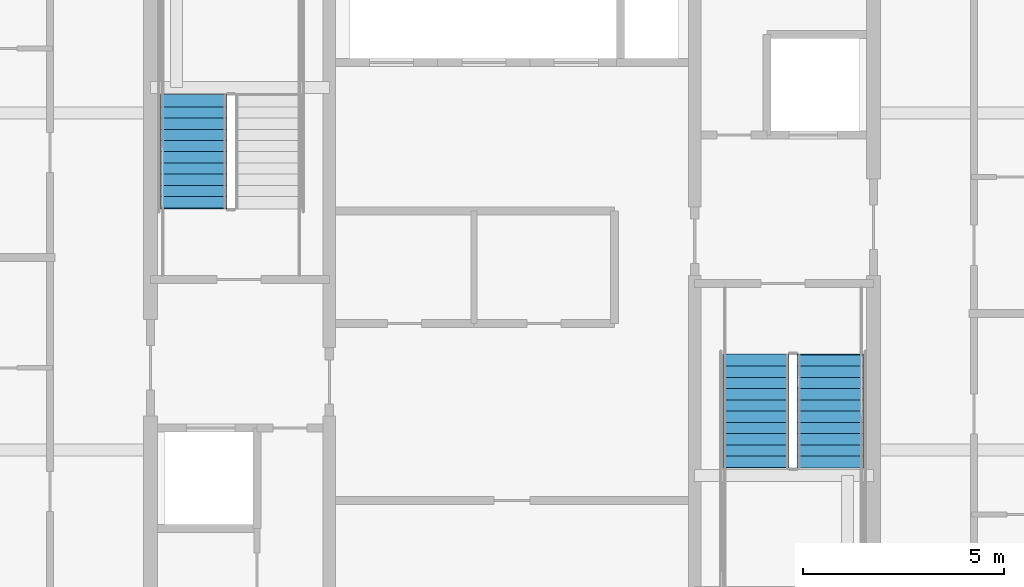
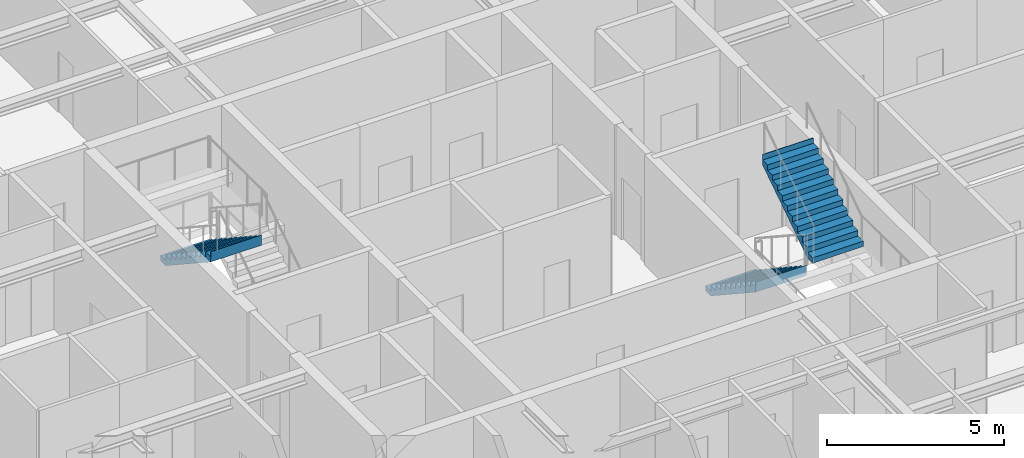
# One storey, part 36 of 42: 3 stair flights, 2 elements without a shape of their own.
"""IFC4 building model written with IfcOpenShell, lengths in metres."""

from ifc_helpers import new_model, si_unit, direction, frame, origin, place, context, subcontext, project, spatial, polygons, material, type_object, element, aggregate, save


model = new_model("IFC4")

# Units and contexts
model_context = context("Model", 3, precision=1e-05, world=origin(), true_north=direction((0.0, 1.0)))
body_context = subcontext(model_context, "Body", "Model", "MODEL_VIEW")
ifc_project = project(units=[si_unit("LENGTHUNIT", "METRE"), si_unit("AREAUNIT", "SQUARE_METRE"), si_unit("VOLUMEUNIT", "CUBIC_METRE"), si_unit("PLANEANGLEUNIT", "RADIAN"), si_unit("MASSUNIT", "GRAM", prefix="KILO")], contexts=[model_context])

# Site, building, storey
site_placement = place(None, origin())
site = spatial("IfcSite", under=ifc_project, at=site_placement, CompositionType="ELEMENT")
building_placement = place(site_placement, origin())
building = spatial("IfcBuilding", under=site, at=building_placement, Name="Serunith Strait Residences", CompositionType="ELEMENT")
storey_placement = place(building_placement, frame((0.0, 0.0, 325.85009765625)))
storey = spatial("IfcBuildingStorey", under=building, at=storey_placement, Name="L81", CompositionType="ELEMENT", Elevation=325.85009765625)

# Stair, stair flight
ifc_material = material(Name="Concrete C50/60", Category="concrete")
stair_type_1 = type_object("IfcStairType", Name="STR-CORE-1", PredefinedType="HALF_TURN_STAIR", material=ifc_material)
stair_1_placement = place(storey_placement, origin())
stair_1 = element("IfcStair", 1, at=stair_1_placement, inside=storey, type_object=stair_type_1, Name="L81 Protected Escape Stair ST-1", PredefinedType="HALF_TURN_STAIR")
stair_flight_type_1 = type_object("IfcStairFlightType", Name="FLT-CORE-1", PredefinedType="STRAIGHT", material=ifc_material)
stair_flight_1_placement = place(storey_placement, frame((24.47509765625, 29.830078125, 2.02490234375), z_axis=(0.0, 0.0, 1.0), x_axis=(0.0, -1.0, 0.0)))
stair_flight_1 = element("IfcStairFlight", 2, at=stair_flight_1_placement, type_object=stair_flight_type_1, Name="ST-1 flight 2", NumberOfRisers=11, NumberOfTreads=10, PredefinedType="STRAIGHT", RiserHeight=0.184090909, TreadLength=0.28, context=body_context, shape_type="Tessellation", body=[
    polygons([(-0.02001953125, -0.824951171875, 0.0), (-0.02001953125, -0.824951171875, 0.18408203125), (0.280029296875, -0.824951171875, 0.18408203125), (0.280029296875, -0.824951171875, 0.3681640625), (0.56005859375, -0.824951171875, 0.3681640625), (0.56005859375, -0.824951171875, 0.55224609375), (0.840087890625, -0.824951171875, 0.55224609375), (0.840087890625, -0.824951171875, 0.736328125), (1.1201171875, -0.824951171875, 0.736328125), (1.1201171875, -0.824951171875, 0.92041015625), (1.39990234375, -0.824951171875, 0.92041015625), (1.39990234375, -0.824951171875, 1.1044921875), (1.679931640625, -0.824951171875, 1.1044921875), (1.679931640625, -0.824951171875, 1.28857421875), (1.9599609375, -0.824951171875, 1.28857421875), (1.9599609375, -0.824951171875, 1.47265625), (2.239990234375, -0.824951171875, 1.47265625), (2.239990234375, -0.824951171875, 1.65673828125), (2.52001953125, -0.824951171875, 1.65673828125), (2.52001953125, -0.824951171875, 1.8408203125), (2.800048828125, -0.824951171875, 1.8408203125), (2.800048828125, -0.824951171875, 2.02490234375), (2.820068359375, -0.824951171875, 2.02490234375), (2.820068359375, -0.824951171875, 1.965087890625), (2.800048828125, -0.824951171875, 1.66162109375), (0.27294921875, -0.824951171875, 0.0), (-0.02001953125, -0.41259765625, 0.0), (-0.02001953125, -0.41259765625, 0.18408203125), (0.280029296875, -0.41259765625, 0.18408203125), (0.280029296875, -0.41259765625, 0.3681640625), (0.56005859375, -0.41259765625, 0.3681640625), (0.56005859375, -0.41259765625, 0.55224609375), (0.840087890625, -0.41259765625, 0.55224609375), (0.840087890625, -0.41259765625, 0.736328125), (1.1201171875, -0.41259765625, 0.736328125), (1.1201171875, -0.41259765625, 0.92041015625), (1.39990234375, -0.41259765625, 0.92041015625), (1.39990234375, -0.41259765625, 1.1044921875), (1.679931640625, -0.41259765625, 1.1044921875), (1.679931640625, -0.41259765625, 1.28857421875), (1.9599609375, -0.41259765625, 1.28857421875), (1.9599609375, -0.41259765625, 1.47265625), (2.239990234375, -0.41259765625, 1.47265625), (2.239990234375, -0.41259765625, 1.65673828125), (2.52001953125, -0.41259765625, 1.65673828125), (2.52001953125, -0.41259765625, 1.8408203125), (2.800048828125, -0.41259765625, 1.8408203125), (2.800048828125, -0.41259765625, 2.02490234375), (2.820068359375, -0.41259765625, 2.02490234375), (2.820068359375, -0.41259765625, 1.965087890625), (2.800048828125, -0.41259765625, 1.66162109375), (0.27294921875, -0.41259765625, 0.0), (-0.02001953125, 0.0, 0.0), (-0.02001953125, 0.0, 0.18408203125), (0.280029296875, 0.0, 0.18408203125), (0.280029296875, 0.0, 0.3681640625), (0.56005859375, 0.0, 0.3681640625), (0.56005859375, 0.0, 0.55224609375), (0.840087890625, 0.0, 0.55224609375), (0.840087890625, 0.0, 0.736328125), (1.1201171875, 0.0, 0.736328125), (1.1201171875, 0.0, 0.92041015625), (1.39990234375, 0.0, 0.92041015625), (1.39990234375, 0.0, 1.1044921875), (1.679931640625, 0.0, 1.1044921875), (1.679931640625, 0.0, 1.28857421875), (1.9599609375, 0.0, 1.28857421875), (1.9599609375, 0.0, 1.47265625), (2.239990234375, 0.0, 1.47265625), (2.239990234375, 0.0, 1.65673828125), (2.52001953125, 0.0, 1.65673828125), (2.52001953125, 0.0, 1.8408203125), (2.800048828125, 0.0, 1.8408203125), (2.800048828125, 0.0, 2.02490234375), (2.820068359375, 0.0, 2.02490234375), (2.820068359375, 0.0, 1.965087890625), (2.800048828125, 0.0, 1.66162109375), (0.27294921875, 0.0, 0.0), (-0.02001953125, 0.41259765625, 0.0), (-0.02001953125, 0.41259765625, 0.18408203125), (0.280029296875, 0.41259765625, 0.18408203125), (0.280029296875, 0.41259765625, 0.3681640625), (0.56005859375, 0.41259765625, 0.3681640625), (0.56005859375, 0.41259765625, 0.55224609375), (0.840087890625, 0.41259765625, 0.55224609375), (0.840087890625, 0.41259765625, 0.736328125), (1.1201171875, 0.41259765625, 0.736328125), (1.1201171875, 0.41259765625, 0.92041015625), (1.39990234375, 0.41259765625, 0.92041015625), (1.39990234375, 0.41259765625, 1.1044921875), (1.679931640625, 0.41259765625, 1.1044921875), (1.679931640625, 0.41259765625, 1.28857421875), (1.9599609375, 0.41259765625, 1.28857421875), (1.9599609375, 0.41259765625, 1.47265625), (2.239990234375, 0.41259765625, 1.47265625), (2.239990234375, 0.41259765625, 1.65673828125), (2.52001953125, 0.41259765625, 1.65673828125), (2.52001953125, 0.41259765625, 1.8408203125), (2.800048828125, 0.41259765625, 1.8408203125), (2.800048828125, 0.41259765625, 2.02490234375), (2.820068359375, 0.41259765625, 2.02490234375), (2.820068359375, 0.41259765625, 1.965087890625), (2.800048828125, 0.41259765625, 1.66162109375), (0.27294921875, 0.41259765625, 0.0), (-0.02001953125, 0.824951171875, 0.0), (-0.02001953125, 0.824951171875, 0.18408203125), (0.280029296875, 0.824951171875, 0.18408203125), (0.280029296875, 0.824951171875, 0.3681640625), (0.56005859375, 0.824951171875, 0.3681640625), (0.56005859375, 0.824951171875, 0.55224609375), (0.840087890625, 0.824951171875, 0.55224609375), (0.840087890625, 0.824951171875, 0.736328125), (1.1201171875, 0.824951171875, 0.736328125), (1.1201171875, 0.824951171875, 0.92041015625), (1.39990234375, 0.824951171875, 0.92041015625), (1.39990234375, 0.824951171875, 1.1044921875), (1.679931640625, 0.824951171875, 1.1044921875), (1.679931640625, 0.824951171875, 1.28857421875), (1.9599609375, 0.824951171875, 1.28857421875), (1.9599609375, 0.824951171875, 1.47265625), (2.239990234375, 0.824951171875, 1.47265625), (2.239990234375, 0.824951171875, 1.65673828125), (2.52001953125, 0.824951171875, 1.65673828125), (2.52001953125, 0.824951171875, 1.8408203125), (2.800048828125, 0.824951171875, 1.8408203125), (2.800048828125, 0.824951171875, 2.02490234375), (2.820068359375, 0.824951171875, 2.02490234375), (2.820068359375, 0.824951171875, 1.965087890625), (2.800048828125, 0.824951171875, 1.66162109375), (0.27294921875, 0.824951171875, 0.0)], [[[1, 2, 28, 27]], [[2, 3, 29, 28]], [[3, 4, 30, 29]], [[4, 5, 31, 30]], [[5, 6, 32, 31]], [[6, 7, 33, 32]], [[7, 8, 34, 33]], [[8, 9, 35, 34]], [[9, 10, 36, 35]], [[10, 11, 37, 36]], [[11, 12, 38, 37]], [[12, 13, 39, 38]], [[13, 14, 40, 39]], [[14, 15, 41, 40]], [[15, 16, 42, 41]], [[16, 17, 43, 42]], [[17, 18, 44, 43]], [[18, 19, 45, 44]], [[19, 20, 46, 45]], [[20, 21, 47, 46]], [[21, 22, 48, 47]], [[22, 23, 49, 48]], [[23, 24, 50, 49]], [[24, 25, 51, 50]], [[25, 26, 52, 51]], [[26, 1, 27, 52]], [[27, 28, 54, 53]], [[28, 29, 55, 54]], [[29, 30, 56, 55]], [[30, 31, 57, 56]], [[31, 32, 58, 57]], [[32, 33, 59, 58]], [[33, 34, 60, 59]], [[34, 35, 61, 60]], [[35, 36, 62, 61]], [[36, 37, 63, 62]], [[37, 38, 64, 63]], [[38, 39, 65, 64]], [[39, 40, 66, 65]], [[40, 41, 67, 66]], [[41, 42, 68, 67]], [[42, 43, 69, 68]], [[43, 44, 70, 69]], [[44, 45, 71, 70]], [[45, 46, 72, 71]], [[46, 47, 73, 72]], [[47, 48, 74, 73]], [[48, 49, 75, 74]], [[49, 50, 76, 75]], [[50, 51, 77, 76]], [[51, 52, 78, 77]], [[52, 27, 53, 78]], [[53, 54, 80, 79]], [[54, 55, 81, 80]], [[55, 56, 82, 81]], [[56, 57, 83, 82]], [[57, 58, 84, 83]], [[58, 59, 85, 84]], [[59, 60, 86, 85]], [[60, 61, 87, 86]], [[61, 62, 88, 87]], [[62, 63, 89, 88]], [[63, 64, 90, 89]], [[64, 65, 91, 90]], [[65, 66, 92, 91]], [[66, 67, 93, 92]], [[67, 68, 94, 93]], [[68, 69, 95, 94]], [[69, 70, 96, 95]], [[70, 71, 97, 96]], [[71, 72, 98, 97]], [[72, 73, 99, 98]], [[73, 74, 100, 99]], [[74, 75, 101, 100]], [[75, 76, 102, 101]], [[76, 77, 103, 102]], [[77, 78, 104, 103]], [[78, 53, 79, 104]], [[79, 80, 106, 105]], [[80, 81, 107, 106]], [[81, 82, 108, 107]], [[82, 83, 109, 108]], [[83, 84, 110, 109]], [[84, 85, 111, 110]], [[85, 86, 112, 111]], [[86, 87, 113, 112]], [[87, 88, 114, 113]], [[88, 89, 115, 114]], [[89, 90, 116, 115]], [[90, 91, 117, 116]], [[91, 92, 118, 117]], [[92, 93, 119, 118]], [[93, 94, 120, 119]], [[94, 95, 121, 120]], [[95, 96, 122, 121]], [[96, 97, 123, 122]], [[97, 98, 124, 123]], [[98, 99, 125, 124]], [[99, 100, 126, 125]], [[100, 101, 127, 126]], [[101, 102, 128, 127]], [[102, 103, 129, 128]], [[103, 104, 130, 129]], [[104, 79, 105, 130]], [[26, 25, 24, 23, 22, 21, 20, 19, 18, 17, 16, 15, 14, 13, 12, 11, 10, 9, 8, 7, 6, 5, 4, 3, 2, 1]], [[105, 106, 107, 108, 109, 110, 111, 112, 113, 114, 115, 116, 117, 118, 119, 120, 121, 122, 123, 124, 125, 126, 127, 128, 129, 130]]], closed=True),
])
aggregate(stair_1, [stair_flight_1])

# Stair, stair flights
stair_type_2 = type_object("IfcStairType", Name="STR-CORE-2", PredefinedType="HALF_TURN_STAIR", material=ifc_material)
stair_2_placement = place(storey_placement, origin())
stair_2 = element("IfcStair", 3, at=stair_2_placement, inside=storey, type_object=stair_type_2, Name="L81 Protected Escape Stair ST-2", PredefinedType="HALF_TURN_STAIR")
stair_flight_type_2 = type_object("IfcStairFlightType", Name="FLT-CORE-2", PredefinedType="STRAIGHT", material=ifc_material)
stair_flight_2_placement = place(storey_placement, frame((38.47509765625, 23.3701171875, 0.0), z_axis=(0.0, 0.0, 1.0), x_axis=(0.0, -1.0, 0.0)))
stair_flight_2 = element("IfcStairFlight", 4, at=stair_flight_2_placement, type_object=stair_flight_type_2, Name="ST-2 flight 1", NumberOfRisers=11, NumberOfTreads=10, PredefinedType="STRAIGHT", RiserHeight=0.184090909, TreadLength=0.28, context=body_context, shape_type="Tessellation", body=[
    polygons([(-0.02001953125, -0.824951171875, 0.0), (-0.02001953125, -0.824951171875, 0.18408203125), (0.280029296875, -0.824951171875, 0.18408203125), (0.280029296875, -0.824951171875, 0.3681640625), (0.56005859375, -0.824951171875, 0.3681640625), (0.56005859375, -0.824951171875, 0.55224609375), (0.840087890625, -0.824951171875, 0.55224609375), (0.840087890625, -0.824951171875, 0.736328125), (1.1201171875, -0.824951171875, 0.736328125), (1.1201171875, -0.824951171875, 0.92041015625), (1.39990234375, -0.824951171875, 0.92041015625), (1.39990234375, -0.824951171875, 1.1044921875), (1.679931640625, -0.824951171875, 1.1044921875), (1.679931640625, -0.824951171875, 1.28857421875), (1.9599609375, -0.824951171875, 1.28857421875), (1.9599609375, -0.824951171875, 1.47265625), (2.239990234375, -0.824951171875, 1.47265625), (2.239990234375, -0.824951171875, 1.65673828125), (2.52001953125, -0.824951171875, 1.65673828125), (2.52001953125, -0.824951171875, 1.8408203125), (2.800048828125, -0.824951171875, 1.8408203125), (2.800048828125, -0.824951171875, 2.02490234375), (2.820068359375, -0.824951171875, 2.02490234375), (2.820068359375, -0.824951171875, 1.965087890625), (2.800048828125, -0.824951171875, 1.66162109375), (0.27294921875, -0.824951171875, 0.0), (-0.02001953125, -0.41259765625, 0.0), (-0.02001953125, -0.41259765625, 0.18408203125), (0.280029296875, -0.41259765625, 0.18408203125), (0.280029296875, -0.41259765625, 0.3681640625), (0.56005859375, -0.41259765625, 0.3681640625), (0.56005859375, -0.41259765625, 0.55224609375), (0.840087890625, -0.41259765625, 0.55224609375), (0.840087890625, -0.41259765625, 0.736328125), (1.1201171875, -0.41259765625, 0.736328125), (1.1201171875, -0.41259765625, 0.92041015625), (1.39990234375, -0.41259765625, 0.92041015625), (1.39990234375, -0.41259765625, 1.1044921875), (1.679931640625, -0.41259765625, 1.1044921875), (1.679931640625, -0.41259765625, 1.28857421875), (1.9599609375, -0.41259765625, 1.28857421875), (1.9599609375, -0.41259765625, 1.47265625), (2.239990234375, -0.41259765625, 1.47265625), (2.239990234375, -0.41259765625, 1.65673828125), (2.52001953125, -0.41259765625, 1.65673828125), (2.52001953125, -0.41259765625, 1.8408203125), (2.800048828125, -0.41259765625, 1.8408203125), (2.800048828125, -0.41259765625, 2.02490234375), (2.820068359375, -0.41259765625, 2.02490234375), (2.820068359375, -0.41259765625, 1.965087890625), (2.800048828125, -0.41259765625, 1.66162109375), (0.27294921875, -0.41259765625, 0.0), (-0.02001953125, 0.0, 0.0), (-0.02001953125, 0.0, 0.18408203125), (0.280029296875, 0.0, 0.18408203125), (0.280029296875, 0.0, 0.3681640625), (0.56005859375, 0.0, 0.3681640625), (0.56005859375, 0.0, 0.55224609375), (0.840087890625, 0.0, 0.55224609375), (0.840087890625, 0.0, 0.736328125), (1.1201171875, 0.0, 0.736328125), (1.1201171875, 0.0, 0.92041015625), (1.39990234375, 0.0, 0.92041015625), (1.39990234375, 0.0, 1.1044921875), (1.679931640625, 0.0, 1.1044921875), (1.679931640625, 0.0, 1.28857421875), (1.9599609375, 0.0, 1.28857421875), (1.9599609375, 0.0, 1.47265625), (2.239990234375, 0.0, 1.47265625), (2.239990234375, 0.0, 1.65673828125), (2.52001953125, 0.0, 1.65673828125), (2.52001953125, 0.0, 1.8408203125), (2.800048828125, 0.0, 1.8408203125), (2.800048828125, 0.0, 2.02490234375), (2.820068359375, 0.0, 2.02490234375), (2.820068359375, 0.0, 1.965087890625), (2.800048828125, 0.0, 1.66162109375), (0.27294921875, 0.0, 0.0), (-0.02001953125, 0.41259765625, 0.0), (-0.02001953125, 0.41259765625, 0.18408203125), (0.280029296875, 0.41259765625, 0.18408203125), (0.280029296875, 0.41259765625, 0.3681640625), (0.56005859375, 0.41259765625, 0.3681640625), (0.56005859375, 0.41259765625, 0.55224609375), (0.840087890625, 0.41259765625, 0.55224609375), (0.840087890625, 0.41259765625, 0.736328125), (1.1201171875, 0.41259765625, 0.736328125), (1.1201171875, 0.41259765625, 0.92041015625), (1.39990234375, 0.41259765625, 0.92041015625), (1.39990234375, 0.41259765625, 1.1044921875), (1.679931640625, 0.41259765625, 1.1044921875), (1.679931640625, 0.41259765625, 1.28857421875), (1.9599609375, 0.41259765625, 1.28857421875), (1.9599609375, 0.41259765625, 1.47265625), (2.239990234375, 0.41259765625, 1.47265625), (2.239990234375, 0.41259765625, 1.65673828125), (2.52001953125, 0.41259765625, 1.65673828125), (2.52001953125, 0.41259765625, 1.8408203125), (2.800048828125, 0.41259765625, 1.8408203125), (2.800048828125, 0.41259765625, 2.02490234375), (2.820068359375, 0.41259765625, 2.02490234375), (2.820068359375, 0.41259765625, 1.965087890625), (2.800048828125, 0.41259765625, 1.66162109375), (0.27294921875, 0.41259765625, 0.0), (-0.02001953125, 0.824951171875, 0.0), (-0.02001953125, 0.824951171875, 0.18408203125), (0.280029296875, 0.824951171875, 0.18408203125), (0.280029296875, 0.824951171875, 0.3681640625), (0.56005859375, 0.824951171875, 0.3681640625), (0.56005859375, 0.824951171875, 0.55224609375), (0.840087890625, 0.824951171875, 0.55224609375), (0.840087890625, 0.824951171875, 0.736328125), (1.1201171875, 0.824951171875, 0.736328125), (1.1201171875, 0.824951171875, 0.92041015625), (1.39990234375, 0.824951171875, 0.92041015625), (1.39990234375, 0.824951171875, 1.1044921875), (1.679931640625, 0.824951171875, 1.1044921875), (1.679931640625, 0.824951171875, 1.28857421875), (1.9599609375, 0.824951171875, 1.28857421875), (1.9599609375, 0.824951171875, 1.47265625), (2.239990234375, 0.824951171875, 1.47265625), (2.239990234375, 0.824951171875, 1.65673828125), (2.52001953125, 0.824951171875, 1.65673828125), (2.52001953125, 0.824951171875, 1.8408203125), (2.800048828125, 0.824951171875, 1.8408203125), (2.800048828125, 0.824951171875, 2.02490234375), (2.820068359375, 0.824951171875, 2.02490234375), (2.820068359375, 0.824951171875, 1.965087890625), (2.800048828125, 0.824951171875, 1.66162109375), (0.27294921875, 0.824951171875, 0.0)], [[[1, 2, 28, 27]], [[2, 3, 29, 28]], [[3, 4, 30, 29]], [[4, 5, 31, 30]], [[5, 6, 32, 31]], [[6, 7, 33, 32]], [[7, 8, 34, 33]], [[8, 9, 35, 34]], [[9, 10, 36, 35]], [[10, 11, 37, 36]], [[11, 12, 38, 37]], [[12, 13, 39, 38]], [[13, 14, 40, 39]], [[14, 15, 41, 40]], [[15, 16, 42, 41]], [[16, 17, 43, 42]], [[17, 18, 44, 43]], [[18, 19, 45, 44]], [[19, 20, 46, 45]], [[20, 21, 47, 46]], [[21, 22, 48, 47]], [[22, 23, 49, 48]], [[23, 24, 50, 49]], [[24, 25, 51, 50]], [[25, 26, 52, 51]], [[26, 1, 27, 52]], [[27, 28, 54, 53]], [[28, 29, 55, 54]], [[29, 30, 56, 55]], [[30, 31, 57, 56]], [[31, 32, 58, 57]], [[32, 33, 59, 58]], [[33, 34, 60, 59]], [[34, 35, 61, 60]], [[35, 36, 62, 61]], [[36, 37, 63, 62]], [[37, 38, 64, 63]], [[38, 39, 65, 64]], [[39, 40, 66, 65]], [[40, 41, 67, 66]], [[41, 42, 68, 67]], [[42, 43, 69, 68]], [[43, 44, 70, 69]], [[44, 45, 71, 70]], [[45, 46, 72, 71]], [[46, 47, 73, 72]], [[47, 48, 74, 73]], [[48, 49, 75, 74]], [[49, 50, 76, 75]], [[50, 51, 77, 76]], [[51, 52, 78, 77]], [[52, 27, 53, 78]], [[53, 54, 80, 79]], [[54, 55, 81, 80]], [[55, 56, 82, 81]], [[56, 57, 83, 82]], [[57, 58, 84, 83]], [[58, 59, 85, 84]], [[59, 60, 86, 85]], [[60, 61, 87, 86]], [[61, 62, 88, 87]], [[62, 63, 89, 88]], [[63, 64, 90, 89]], [[64, 65, 91, 90]], [[65, 66, 92, 91]], [[66, 67, 93, 92]], [[67, 68, 94, 93]], [[68, 69, 95, 94]], [[69, 70, 96, 95]], [[70, 71, 97, 96]], [[71, 72, 98, 97]], [[72, 73, 99, 98]], [[73, 74, 100, 99]], [[74, 75, 101, 100]], [[75, 76, 102, 101]], [[76, 77, 103, 102]], [[77, 78, 104, 103]], [[78, 53, 79, 104]], [[79, 80, 106, 105]], [[80, 81, 107, 106]], [[81, 82, 108, 107]], [[82, 83, 109, 108]], [[83, 84, 110, 109]], [[84, 85, 111, 110]], [[85, 86, 112, 111]], [[86, 87, 113, 112]], [[87, 88, 114, 113]], [[88, 89, 115, 114]], [[89, 90, 116, 115]], [[90, 91, 117, 116]], [[91, 92, 118, 117]], [[92, 93, 119, 118]], [[93, 94, 120, 119]], [[94, 95, 121, 120]], [[95, 96, 122, 121]], [[96, 97, 123, 122]], [[97, 98, 124, 123]], [[98, 99, 125, 124]], [[99, 100, 126, 125]], [[100, 101, 127, 126]], [[101, 102, 128, 127]], [[102, 103, 129, 128]], [[103, 104, 130, 129]], [[104, 79, 105, 130]], [[26, 25, 24, 23, 22, 21, 20, 19, 18, 17, 16, 15, 14, 13, 12, 11, 10, 9, 8, 7, 6, 5, 4, 3, 2, 1]], [[105, 106, 107, 108, 109, 110, 111, 112, 113, 114, 115, 116, 117, 118, 119, 120, 121, 122, 123, 124, 125, 126, 127, 128, 129, 130]]], closed=True),
])
stair_flight_3_placement = place(storey_placement, frame((40.324951171875, 20.570068359375, 2.02490234375), z_axis=(0.0, 0.0, 1.0), x_axis=(0.0, 1.0, 0.0)))
stair_flight_3 = element("IfcStairFlight", 5, at=stair_flight_3_placement, type_object=stair_flight_type_2, Name="ST-2 flight 2", NumberOfRisers=11, NumberOfTreads=10, PredefinedType="STRAIGHT", RiserHeight=0.184090909, TreadLength=0.28, context=body_context, shape_type="Tessellation", body=[
    polygons([(-0.02001953125, -0.824951171875, 0.0), (-0.02001953125, -0.824951171875, 0.18408203125), (0.280029296875, -0.824951171875, 0.18408203125), (0.280029296875, -0.824951171875, 0.3681640625), (0.56005859375, -0.824951171875, 0.3681640625), (0.56005859375, -0.824951171875, 0.55224609375), (0.840087890625, -0.824951171875, 0.55224609375), (0.840087890625, -0.824951171875, 0.736328125), (1.1201171875, -0.824951171875, 0.736328125), (1.1201171875, -0.824951171875, 0.92041015625), (1.39990234375, -0.824951171875, 0.92041015625), (1.39990234375, -0.824951171875, 1.1044921875), (1.679931640625, -0.824951171875, 1.1044921875), (1.679931640625, -0.824951171875, 1.28857421875), (1.9599609375, -0.824951171875, 1.28857421875), (1.9599609375, -0.824951171875, 1.47265625), (2.239990234375, -0.824951171875, 1.47265625), (2.239990234375, -0.824951171875, 1.65673828125), (2.52001953125, -0.824951171875, 1.65673828125), (2.52001953125, -0.824951171875, 1.8408203125), (2.800048828125, -0.824951171875, 1.8408203125), (2.800048828125, -0.824951171875, 2.02490234375), (2.820068359375, -0.824951171875, 2.02490234375), (2.820068359375, -0.824951171875, 1.965087890625), (2.800048828125, -0.824951171875, 1.66162109375), (0.27294921875, -0.824951171875, 0.0), (-0.02001953125, -0.41259765625, 0.0), (-0.02001953125, -0.41259765625, 0.18408203125), (0.280029296875, -0.41259765625, 0.18408203125), (0.280029296875, -0.41259765625, 0.3681640625), (0.56005859375, -0.41259765625, 0.3681640625), (0.56005859375, -0.41259765625, 0.55224609375), (0.840087890625, -0.41259765625, 0.55224609375), (0.840087890625, -0.41259765625, 0.736328125), (1.1201171875, -0.41259765625, 0.736328125), (1.1201171875, -0.41259765625, 0.92041015625), (1.39990234375, -0.41259765625, 0.92041015625), (1.39990234375, -0.41259765625, 1.1044921875), (1.679931640625, -0.41259765625, 1.1044921875), (1.679931640625, -0.41259765625, 1.28857421875), (1.9599609375, -0.41259765625, 1.28857421875), (1.9599609375, -0.41259765625, 1.47265625), (2.239990234375, -0.41259765625, 1.47265625), (2.239990234375, -0.41259765625, 1.65673828125), (2.52001953125, -0.41259765625, 1.65673828125), (2.52001953125, -0.41259765625, 1.8408203125), (2.800048828125, -0.41259765625, 1.8408203125), (2.800048828125, -0.41259765625, 2.02490234375), (2.820068359375, -0.41259765625, 2.02490234375), (2.820068359375, -0.41259765625, 1.965087890625), (2.800048828125, -0.41259765625, 1.66162109375), (0.27294921875, -0.41259765625, 0.0), (-0.02001953125, 0.0, 0.0), (-0.02001953125, 0.0, 0.18408203125), (0.280029296875, 0.0, 0.18408203125), (0.280029296875, 0.0, 0.3681640625), (0.56005859375, 0.0, 0.3681640625), (0.56005859375, 0.0, 0.55224609375), (0.840087890625, 0.0, 0.55224609375), (0.840087890625, 0.0, 0.736328125), (1.1201171875, 0.0, 0.736328125), (1.1201171875, 0.0, 0.92041015625), (1.39990234375, 0.0, 0.92041015625), (1.39990234375, 0.0, 1.1044921875), (1.679931640625, 0.0, 1.1044921875), (1.679931640625, 0.0, 1.28857421875), (1.9599609375, 0.0, 1.28857421875), (1.9599609375, 0.0, 1.47265625), (2.239990234375, 0.0, 1.47265625), (2.239990234375, 0.0, 1.65673828125), (2.52001953125, 0.0, 1.65673828125), (2.52001953125, 0.0, 1.8408203125), (2.800048828125, 0.0, 1.8408203125), (2.800048828125, 0.0, 2.02490234375), (2.820068359375, 0.0, 2.02490234375), (2.820068359375, 0.0, 1.965087890625), (2.800048828125, 0.0, 1.66162109375), (0.27294921875, 0.0, 0.0), (-0.02001953125, 0.41259765625, 0.0), (-0.02001953125, 0.41259765625, 0.18408203125), (0.280029296875, 0.41259765625, 0.18408203125), (0.280029296875, 0.41259765625, 0.3681640625), (0.56005859375, 0.41259765625, 0.3681640625), (0.56005859375, 0.41259765625, 0.55224609375), (0.840087890625, 0.41259765625, 0.55224609375), (0.840087890625, 0.41259765625, 0.736328125), (1.1201171875, 0.41259765625, 0.736328125), (1.1201171875, 0.41259765625, 0.92041015625), (1.39990234375, 0.41259765625, 0.92041015625), (1.39990234375, 0.41259765625, 1.1044921875), (1.679931640625, 0.41259765625, 1.1044921875), (1.679931640625, 0.41259765625, 1.28857421875), (1.9599609375, 0.41259765625, 1.28857421875), (1.9599609375, 0.41259765625, 1.47265625), (2.239990234375, 0.41259765625, 1.47265625), (2.239990234375, 0.41259765625, 1.65673828125), (2.52001953125, 0.41259765625, 1.65673828125), (2.52001953125, 0.41259765625, 1.8408203125), (2.800048828125, 0.41259765625, 1.8408203125), (2.800048828125, 0.41259765625, 2.02490234375), (2.820068359375, 0.41259765625, 2.02490234375), (2.820068359375, 0.41259765625, 1.965087890625), (2.800048828125, 0.41259765625, 1.66162109375), (0.27294921875, 0.41259765625, 0.0), (-0.02001953125, 0.824951171875, 0.0), (-0.02001953125, 0.824951171875, 0.18408203125), (0.280029296875, 0.824951171875, 0.18408203125), (0.280029296875, 0.824951171875, 0.3681640625), (0.56005859375, 0.824951171875, 0.3681640625), (0.56005859375, 0.824951171875, 0.55224609375), (0.840087890625, 0.824951171875, 0.55224609375), (0.840087890625, 0.824951171875, 0.736328125), (1.1201171875, 0.824951171875, 0.736328125), (1.1201171875, 0.824951171875, 0.92041015625), (1.39990234375, 0.824951171875, 0.92041015625), (1.39990234375, 0.824951171875, 1.1044921875), (1.679931640625, 0.824951171875, 1.1044921875), (1.679931640625, 0.824951171875, 1.28857421875), (1.9599609375, 0.824951171875, 1.28857421875), (1.9599609375, 0.824951171875, 1.47265625), (2.239990234375, 0.824951171875, 1.47265625), (2.239990234375, 0.824951171875, 1.65673828125), (2.52001953125, 0.824951171875, 1.65673828125), (2.52001953125, 0.824951171875, 1.8408203125), (2.800048828125, 0.824951171875, 1.8408203125), (2.800048828125, 0.824951171875, 2.02490234375), (2.820068359375, 0.824951171875, 2.02490234375), (2.820068359375, 0.824951171875, 1.965087890625), (2.800048828125, 0.824951171875, 1.66162109375), (0.27294921875, 0.824951171875, 0.0)], [[[1, 2, 28, 27]], [[2, 3, 29, 28]], [[3, 4, 30, 29]], [[4, 5, 31, 30]], [[5, 6, 32, 31]], [[6, 7, 33, 32]], [[7, 8, 34, 33]], [[8, 9, 35, 34]], [[9, 10, 36, 35]], [[10, 11, 37, 36]], [[11, 12, 38, 37]], [[12, 13, 39, 38]], [[13, 14, 40, 39]], [[14, 15, 41, 40]], [[15, 16, 42, 41]], [[16, 17, 43, 42]], [[17, 18, 44, 43]], [[18, 19, 45, 44]], [[19, 20, 46, 45]], [[20, 21, 47, 46]], [[21, 22, 48, 47]], [[22, 23, 49, 48]], [[23, 24, 50, 49]], [[24, 25, 51, 50]], [[25, 26, 52, 51]], [[26, 1, 27, 52]], [[27, 28, 54, 53]], [[28, 29, 55, 54]], [[29, 30, 56, 55]], [[30, 31, 57, 56]], [[31, 32, 58, 57]], [[32, 33, 59, 58]], [[33, 34, 60, 59]], [[34, 35, 61, 60]], [[35, 36, 62, 61]], [[36, 37, 63, 62]], [[37, 38, 64, 63]], [[38, 39, 65, 64]], [[39, 40, 66, 65]], [[40, 41, 67, 66]], [[41, 42, 68, 67]], [[42, 43, 69, 68]], [[43, 44, 70, 69]], [[44, 45, 71, 70]], [[45, 46, 72, 71]], [[46, 47, 73, 72]], [[47, 48, 74, 73]], [[48, 49, 75, 74]], [[49, 50, 76, 75]], [[50, 51, 77, 76]], [[51, 52, 78, 77]], [[52, 27, 53, 78]], [[53, 54, 80, 79]], [[54, 55, 81, 80]], [[55, 56, 82, 81]], [[56, 57, 83, 82]], [[57, 58, 84, 83]], [[58, 59, 85, 84]], [[59, 60, 86, 85]], [[60, 61, 87, 86]], [[61, 62, 88, 87]], [[62, 63, 89, 88]], [[63, 64, 90, 89]], [[64, 65, 91, 90]], [[65, 66, 92, 91]], [[66, 67, 93, 92]], [[67, 68, 94, 93]], [[68, 69, 95, 94]], [[69, 70, 96, 95]], [[70, 71, 97, 96]], [[71, 72, 98, 97]], [[72, 73, 99, 98]], [[73, 74, 100, 99]], [[74, 75, 101, 100]], [[75, 76, 102, 101]], [[76, 77, 103, 102]], [[77, 78, 104, 103]], [[78, 53, 79, 104]], [[79, 80, 106, 105]], [[80, 81, 107, 106]], [[81, 82, 108, 107]], [[82, 83, 109, 108]], [[83, 84, 110, 109]], [[84, 85, 111, 110]], [[85, 86, 112, 111]], [[86, 87, 113, 112]], [[87, 88, 114, 113]], [[88, 89, 115, 114]], [[89, 90, 116, 115]], [[90, 91, 117, 116]], [[91, 92, 118, 117]], [[92, 93, 119, 118]], [[93, 94, 120, 119]], [[94, 95, 121, 120]], [[95, 96, 122, 121]], [[96, 97, 123, 122]], [[97, 98, 124, 123]], [[98, 99, 125, 124]], [[99, 100, 126, 125]], [[100, 101, 127, 126]], [[101, 102, 128, 127]], [[102, 103, 129, 128]], [[103, 104, 130, 129]], [[104, 79, 105, 130]], [[26, 25, 24, 23, 22, 21, 20, 19, 18, 17, 16, 15, 14, 13, 12, 11, 10, 9, 8, 7, 6, 5, 4, 3, 2, 1]], [[105, 106, 107, 108, 109, 110, 111, 112, 113, 114, 115, 116, 117, 118, 119, 120, 121, 122, 123, 124, 125, 126, 127, 128, 129, 130]]], closed=True),
])
aggregate(stair_2, [stair_flight_2, stair_flight_3])

save(model, "model.ifc")
